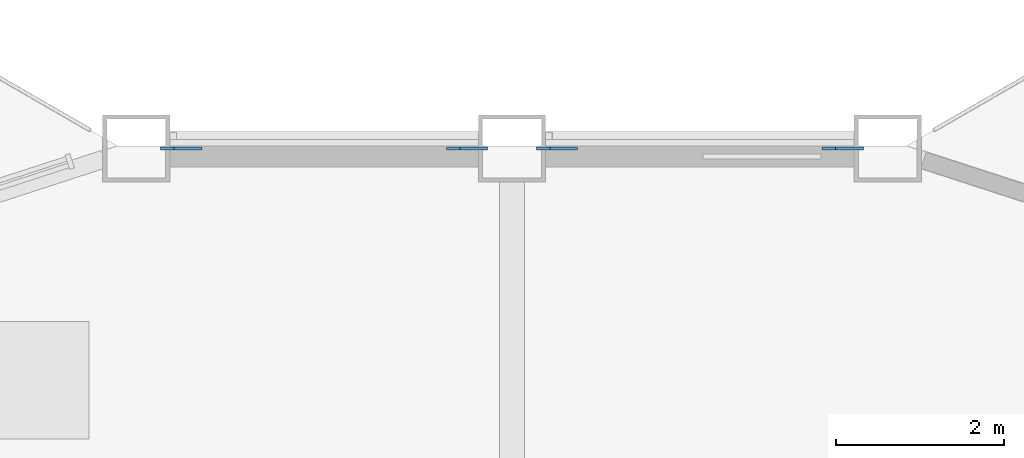
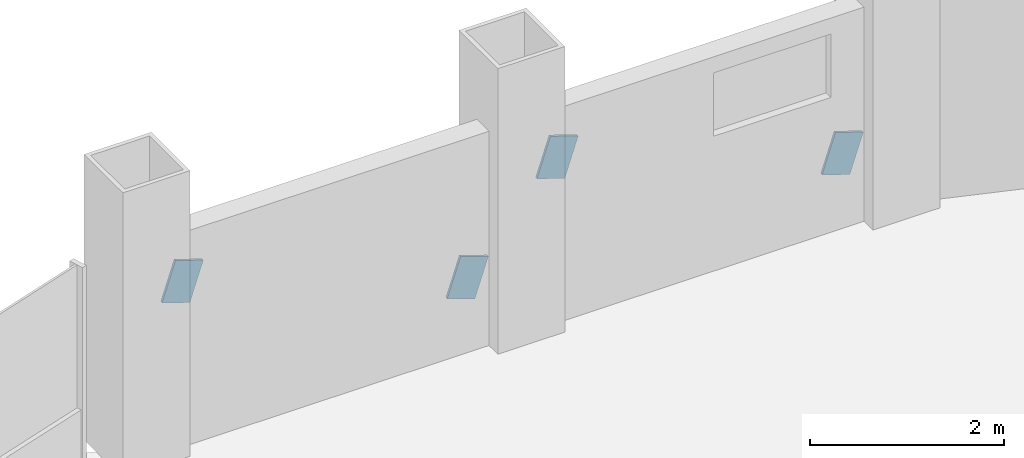
# One storey, part 19 of 24: 4 discrete accessories.
"""IFC4 building model written with IfcOpenShell, lengths in metres."""

from ifc_helpers import new_model, si_unit, direction, frame, origin, origin_2d, place, context, subcontext, project, spatial, rectangle, extrude, material, material_profile, profile_set, type_object, element, save


model = new_model("IFC4")

# Units and contexts
model_context = context("Model", 3, precision=1e-05, world=origin(), true_north=direction((0.0, 1.0)))
body_context = subcontext(model_context, "Body", "Model", "MODEL_VIEW")
ifc_project = project(units=[si_unit("LENGTHUNIT", "METRE"), si_unit("AREAUNIT", "SQUARE_METRE"), si_unit("VOLUMEUNIT", "CUBIC_METRE"), si_unit("PLANEANGLEUNIT", "RADIAN"), si_unit("MASSUNIT", "GRAM", prefix="KILO")], contexts=[model_context])

# Site, building, storey
site_placement = place(None, origin())
site = spatial("IfcSite", under=ifc_project, at=site_placement, CompositionType="ELEMENT")
building_placement = place(site_placement, origin())
building = spatial("IfcBuilding", under=site, at=building_placement, Name="Cormorant Prow Tower", CompositionType="ELEMENT")
storey_placement = place(building_placement, frame((0.0, 0.0, 201.60009765625)))
storey = spatial("IfcBuildingStorey", under=building, at=storey_placement, Name="L44", CompositionType="ELEMENT", Elevation=201.60009765625)

# Discrete accessories
ifc_material = material(Name="Structural steel ASTM A500 Gr C", Category="steel")
ifc_material_profile = material_profile(ifc_material, rectangle(XDim=0.031982421875, YDim=0.506103515625, at=origin_2d()), Name="Gusset plate 32x506")
ifc_profile_set = profile_set([ifc_material_profile], Name="Structural steel ASTM A500 Gr C")
discrete_accessory_type = type_object("IfcDiscreteAccessoryType", Name="Gusset plate 32x506", PredefinedType="BRACKET", material=ifc_profile_set)
for number, where, z_axis, x_axis, name in (
    (1, (3.768798828125, 32.3994140625, 0.83544921875), (0.948053578163, 0.0, -0.318110692893), (0.0, 1.0, 0.0), "Gusset plate GP2 L44.N00.g0"),
    (2, (0.701416015625, 32.3994140625, 1.865234375), (-0.948053578163, 0.0, 0.318110692893), (0.0, -1.0, 0.0), "Gusset plate GP2 L44.N00.g1"),
    (3, (-0.701416015625, 32.3994140625, 0.83544921875), (0.948053578163, 0.0, -0.318110692893), (0.0, 1.0, 0.0), "Gusset plate GP2 L44.N01.g0"),
    (4, (-3.768798828125, 32.3994140625, 1.865234375), (-0.948053578163, 0.0, 0.318110692893), (0.0, -1.0, 0.0), "Gusset plate GP2 L44.N01.g1"),
):
    element("IfcDiscreteAccessory", number, at=place(storey_placement, frame(where, z_axis=z_axis, x_axis=x_axis)), inside=storey, type_object=discrete_accessory_type, Name=name, PredefinedType="BRACKET", context=body_context, shape_type="SweptSolid", body=[
        extrude(rectangle(XDim=0.031982421875, YDim=0.506103515625, at=origin_2d()), origin(), (0.0, 0.0, 1.0), 0.349853515625),
    ])

save(model, "model.ifc")
